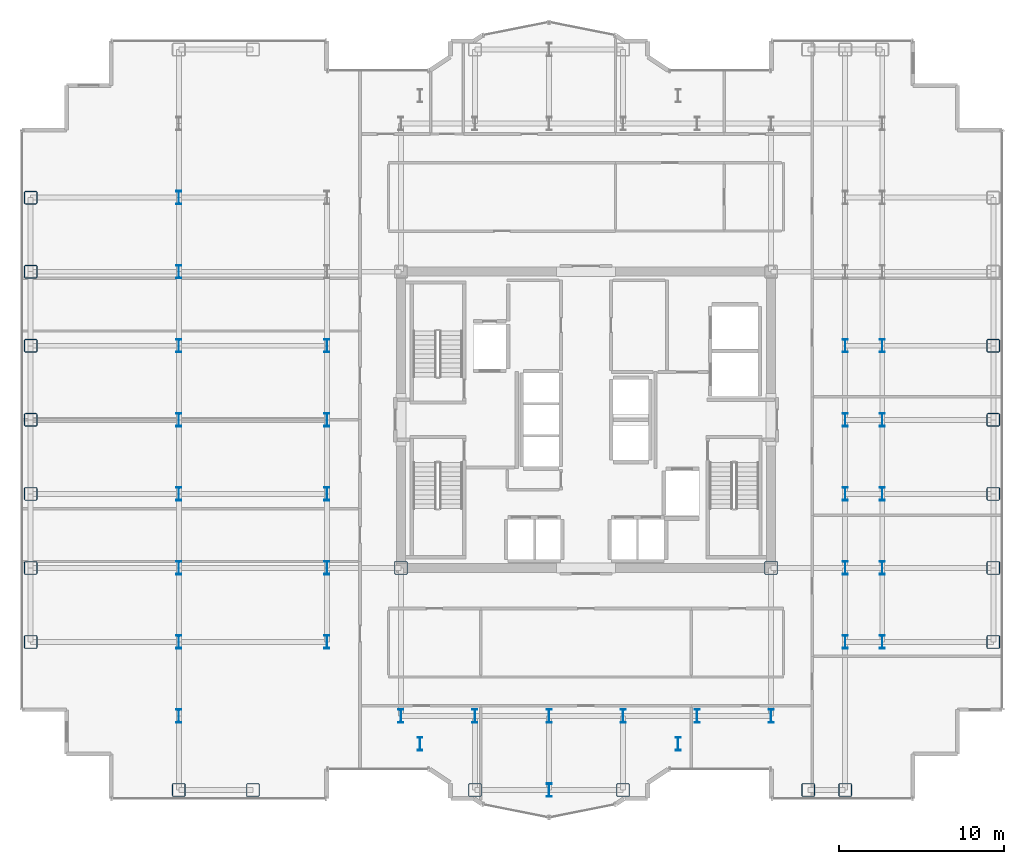
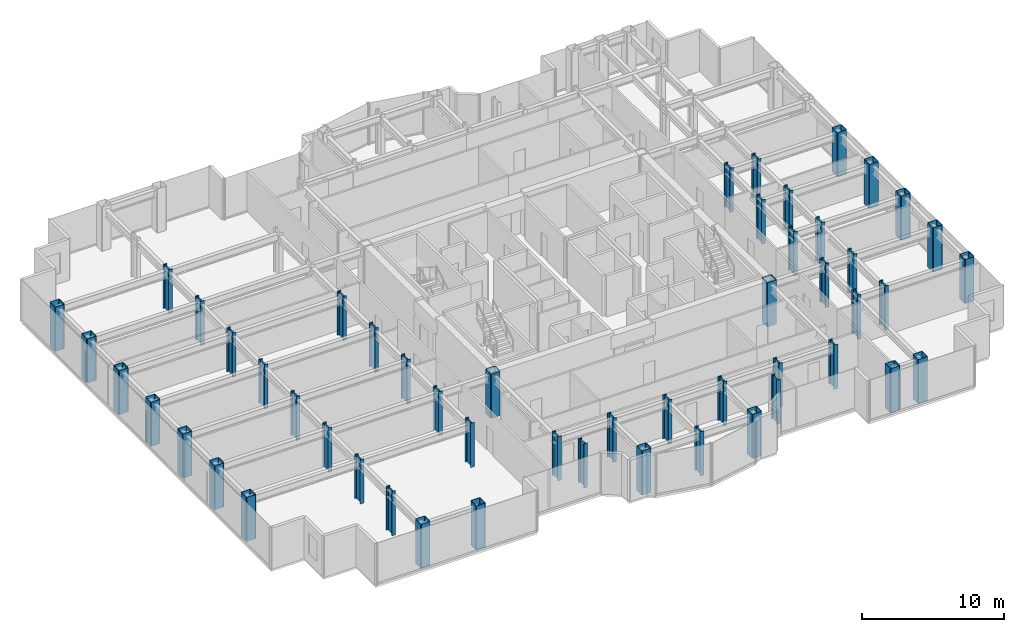
# One storey, part 1 of 23: 52 columns.
"""IFC4 building model written with IfcOpenShell, lengths in metres."""

from ifc_helpers import new_model, si_unit, direction, frame, origin, origin_2d, place, context, subcontext, project, spatial, hollow_rectangle, i_section, extrude, source, transform, mapped, material, material_profile, profile_set, type_object, element, save


model = new_model("IFC4")

# Units and contexts
model_context = context("Model", 3, precision=1e-05, world=origin(), true_north=direction((0.0, 1.0)))
body_context = subcontext(model_context, "Body", "Model", "MODEL_VIEW")
ifc_project = project(units=[si_unit("LENGTHUNIT", "METRE"), si_unit("AREAUNIT", "SQUARE_METRE"), si_unit("VOLUMEUNIT", "CUBIC_METRE"), si_unit("PLANEANGLEUNIT", "RADIAN"), si_unit("MASSUNIT", "GRAM", prefix="KILO")], contexts=[model_context])

# Site, building, storey
site_placement = place(None, origin())
site = spatial("IfcSite", under=ifc_project, at=site_placement, CompositionType="ELEMENT")
building_placement = place(site_placement, origin())
building = spatial("IfcBuilding", under=site, at=building_placement, Name="Nefas-Gora Pilgrimage Tower", CompositionType="ELEMENT")
storey_placement = place(building_placement, frame((0.0, 0.0, 190.60009765625)))
storey = spatial("IfcBuildingStorey", under=building, at=storey_placement, Name="L47", CompositionType="ELEMENT", Elevation=190.60009765625)

# Columns
ifc_material = material(Name="Steel S460", Category="steel")
ifc_material_profile_1 = material_profile(ifc_material, hollow_rectangle(XDim=0.800048828125, YDim=0.800048828125, WallThickness=0.0400390625, InnerFilletRadius=0.0400390625, OuterFilletRadius=0.080078125, at=origin_2d()), Name="BOX 800x800x40")
ifc_profile_set_1 = profile_set([ifc_material_profile_1], Name="Steel S460")
column_type_1 = type_object("IfcColumnType", Name="COL-TUBE-800", PredefinedType="COLUMN", material=ifc_profile_set_1)
shared_shape_1 = source(origin(), body_context, "Body", "SweptSolid", [
    extrude(hollow_rectangle(XDim=0.800048828125, YDim=0.800048828125, WallThickness=0.0400390625, InnerFilletRadius=0.0400390625, OuterFilletRadius=0.080078125, at=origin_2d()), origin(), (0.0, 0.0, 1.0), 3.7998046875),
])
for number, where, z_axis, x_axis, name in (
    (1, (-33.75, -13.5, 0.0), (0.0, 0.0, 1.0), (1.0, 0.0, 0.0), "L47 Tower Column C-Z2.1"),
    (2, (-33.75, -9.0, 0.0), (0.0, 0.0, 1.0), (1.0, 0.0, 0.0), "L47 Tower Column C-Z2.2"),
    (3, (-33.75, -4.5, 0.0), (0.0, 0.0, 1.0), (1.0, 0.0, 0.0), "L47 Tower Column C-Z2.3"),
    (4, (-33.75, 0.0, 0.0), (0.0, 0.0, 1.0), (1.0, 0.0, 0.0), "L47 Tower Column C-Z2.4"),
    (5, (-33.75, 4.5, 0.0), (0.0, 0.0, 1.0), (1.0, 0.0, 0.0), "L47 Tower Column C-Z2.5"),
    (6, (-33.75, 9.0, 0.0), (0.0, 0.0, 1.0), (1.0, 0.0, 0.0), "L47 Tower Column C-Z2.6"),
    (7, (-33.75, 13.5, 0.0), (0.0, 0.0, 1.0), (1.0, 0.0, 0.0), "L47 Tower Column C-Z2.7"),
    (8, (-24.75, -22.5, 0.0), (0.0, 0.0, 1.0), (1.0, 0.0, 0.0), "L47 Tower Column C-Z2.8"),
    (9, (-20.25, -22.5, 0.0), (0.0, 0.0, 1.0), (1.0, 0.0, 0.0), "L47 Tower Column C-Z2.19"),
    (10, (-6.75, -22.5, 0.0), (0.0, 0.0, 1.0), (1.0, 0.0, 0.0), "L47 Tower Column C-Z2.34"),
    (11, (2.25, -22.5, 0.0), (0.0, 0.0, 1.0), (1.0, 0.0, 0.0), "L47 Tower Column C-Z2.42"),
    (12, (13.5, -22.5, 0.0), (0.0, 0.0, 1.0), (1.0, 0.0, 0.0), "L47 Tower Column C-Z2.54"),
    (13, (15.75, -22.5, 0.0), (0.0, 0.0, 1.0), (1.0, 0.0, 0.0), "L47 Tower Column C-Z2.56"),
    (14, (24.75, -13.5, 0.0), (0.0, 0.0, 1.0), (1.0, 0.0, 0.0), "L47 Tower Column C-Z2.74"),
    (15, (24.75, -9.0, 0.0), (0.0, 0.0, 1.0), (1.0, 0.0, 0.0), "L47 Tower Column C-Z2.75"),
    (16, (24.75, -4.5, 0.0), (0.0, 0.0, 1.0), (1.0, 0.0, 0.0), "L47 Tower Column C-Z2.76"),
    (17, (24.75, 0.0, 0.0), (0.0, 0.0, 1.0), (1.0, 0.0, 0.0), "L47 Tower Column C-Z2.77"),
    (18, (24.75, 4.5, 0.0), (0.0, 0.0, 1.0), (1.0, 0.0, 0.0), "L47 Tower Column C-Z2.78"),
):
    element("IfcColumn", number, at=place(storey_placement, frame(where, z_axis=z_axis, x_axis=x_axis)), inside=storey, type_object=column_type_1, Name=name, PredefinedType="COLUMN", context=body_context, shape_type="MappedRepresentation", body=[
        mapped(shared_shape_1, transform((0.0, 0.0, 0.0), x_axis=(1.0, 0.0, 0.0), y_axis=(0.0, 1.0, 0.0), z_axis=(0.0, 0.0, 1.0), scale=1.0)),
    ])
ifc_material_profile_2 = material_profile(ifc_material, i_section(OverallWidth=0.302978515625, OverallDepth=0.81396484375, WebThickness=0.02099609375, FlangeThickness=0.0400390625, FilletRadius=0.030029296875, at=origin_2d()), Name="HEM 800")
ifc_profile_set_2 = profile_set([ifc_material_profile_2], Name="Steel S460")
column_type_2 = type_object("IfcColumnType", Name="COL-WEB-HEM800", PredefinedType="COLUMN", material=ifc_profile_set_2)
shared_shape_2 = source(origin(), body_context, "Body", "SweptSolid", [
    extrude(i_section(OverallWidth=0.302978515625, OverallDepth=0.81396484375, WebThickness=0.02099609375, FlangeThickness=0.0400390625, FilletRadius=0.030029296875, at=origin_2d()), origin(), (0.0, 0.0, 1.0), 3.7998046875),
])
for number, where, z_axis, x_axis, name in (
    (19, (-24.75, -18.0, 0.0), (0.0, 0.0, 1.0), (1.0, 0.0, 0.0), "L47 Tower Column CW-02.9"),
    (20, (-24.75, -13.5, 0.0), (0.0, 0.0, 1.0), (1.0, 0.0, 0.0), "L47 Tower Column CW-02.10"),
    (21, (-24.75, -9.0, 0.0), (0.0, 0.0, 1.0), (1.0, 0.0, 0.0), "L47 Tower Column CW-02.11"),
    (22, (-24.75, -4.5, 0.0), (0.0, 0.0, 1.0), (1.0, 0.0, 0.0), "L47 Tower Column CW-02.12"),
    (23, (-24.75, 0.0, 0.0), (0.0, 0.0, 1.0), (1.0, 0.0, 0.0), "L47 Tower Column CW-02.13"),
    (24, (-24.75, 4.5, 0.0), (0.0, 0.0, 1.0), (1.0, 0.0, 0.0), "L47 Tower Column CW-02.14"),
    (25, (-24.75, 9.0, 0.0), (0.0, 0.0, 1.0), (1.0, 0.0, 0.0), "L47 Tower Column CW-02.15"),
    (26, (-24.75, 13.5, 0.0), (0.0, 0.0, 1.0), (1.0, 0.0, 0.0), "L47 Tower Column CW-02.16"),
    (27, (-15.75, -13.5, 0.0), (0.0, 0.0, 1.0), (1.0, 0.0, 0.0), "L47 Tower Column CW-02.21"),
    (28, (-15.75, -9.0, 0.0), (0.0, 0.0, 1.0), (1.0, 0.0, 0.0), "L47 Tower Column CW-02.22"),
    (29, (-15.75, -4.5, 0.0), (0.0, 0.0, 1.0), (1.0, 0.0, 0.0), "L47 Tower Column CW-02.23"),
    (30, (-15.75, 0.0, 0.0), (0.0, 0.0, 1.0), (1.0, 0.0, 0.0), "L47 Tower Column CW-02.24"),
    (31, (-15.75, 4.5, 0.0), (0.0, 0.0, 1.0), (1.0, 0.0, 0.0), "L47 Tower Column CW-02.25"),
    (32, (-11.25, -18.0, 0.0), (0.0, 0.0, 1.0), (1.0, 0.0, 0.0), "L47 Tower Column CW-02.28"),
    (33, (-10.091064453125, -19.696044921875, 0.0), (0.0, 0.0, 1.0), (1.0, 0.0, 0.0), "L47 Tower Column CW-02.32"),
    (34, (-6.75, -18.0, 0.0), (0.0, 0.0, 1.0), (1.0, 0.0, 0.0), "L47 Tower Column CW-02.35"),
    (35, (-2.25, -22.5, 0.0), (0.0, 0.0, 1.0), (1.0, 0.0, 0.0), "L47 Tower Column CW-02.38"),
    (36, (-2.25, -18.0, 0.0), (0.0, 0.0, 1.0), (1.0, 0.0, 0.0), "L47 Tower Column CW-02.39"),
    (37, (2.25, -18.0, 0.0), (0.0, 0.0, 1.0), (1.0, 0.0, 0.0), "L47 Tower Column CW-02.43"),
    (38, (5.591064453125, -19.696044921875, 0.0), (0.0, 0.0, 1.0), (1.0, 0.0, 0.0), "L47 Tower Column CW-02.46"),
    (39, (6.75, -18.0, 0.0), (0.0, 0.0, 1.0), (1.0, 0.0, 0.0), "L47 Tower Column CW-02.48"),
    (40, (11.25, -18.0, 0.0), (0.0, 0.0, 1.0), (1.0, 0.0, 0.0), "L47 Tower Column CW-02.50"),
    (41, (15.75, -13.5, 0.0), (0.0, 0.0, 1.0), (1.0, 0.0, 0.0), "L47 Tower Column CW-02.57"),
    (42, (15.75, -9.0, 0.0), (0.0, 0.0, 1.0), (1.0, 0.0, 0.0), "L47 Tower Column CW-02.58"),
    (43, (15.75, -4.5, 0.0), (0.0, 0.0, 1.0), (1.0, 0.0, 0.0), "L47 Tower Column CW-02.59"),
    (44, (15.75, 0.0, 0.0), (0.0, 0.0, 1.0), (1.0, 0.0, 0.0), "L47 Tower Column CW-02.60"),
    (45, (15.75, 4.5, 0.0), (0.0, 0.0, 1.0), (1.0, 0.0, 0.0), "L47 Tower Column CW-02.61"),
    (46, (18.0, -13.5, 0.0), (0.0, 0.0, 1.0), (1.0, 0.0, 0.0), "L47 Tower Column CW-02.65"),
    (47, (18.0, -9.0, 0.0), (0.0, 0.0, 1.0), (1.0, 0.0, 0.0), "L47 Tower Column CW-02.66"),
    (48, (18.0, -4.5, 0.0), (0.0, 0.0, 1.0), (1.0, 0.0, 0.0), "L47 Tower Column CW-02.67"),
    (49, (18.0, 0.0, 0.0), (0.0, 0.0, 1.0), (1.0, 0.0, 0.0), "L47 Tower Column CW-02.68"),
    (50, (18.0, 4.5, 0.0), (0.0, 0.0, 1.0), (1.0, 0.0, 0.0), "L47 Tower Column CW-02.69"),
):
    element("IfcColumn", number, at=place(storey_placement, frame(where, z_axis=z_axis, x_axis=x_axis)), inside=storey, type_object=column_type_2, Name=name, PredefinedType="COLUMN", context=body_context, shape_type="MappedRepresentation", body=[
        mapped(shared_shape_2, transform((0.0, 0.0, 0.0), x_axis=(1.0, 0.0, 0.0), y_axis=(0.0, 1.0, 0.0), z_axis=(0.0, 0.0, 1.0), scale=1.0)),
    ])
ifc_material_profile_3 = material_profile(ifc_material, hollow_rectangle(XDim=0.800048828125, YDim=0.800048828125, WallThickness=0.0400390625, InnerFilletRadius=0.0400390625, OuterFilletRadius=0.080078125, at=origin_2d()), Name="BOX 800x800x40")
ifc_profile_set_3 = profile_set([ifc_material_profile_3], Name="Steel S460")
column_type_3 = type_object("IfcColumnType", Name="COL-CORE-800", PredefinedType="COLUMN", material=ifc_profile_set_3)
shared_shape_3 = source(origin(), body_context, "Body", "SweptSolid", [
    extrude(hollow_rectangle(XDim=0.800048828125, YDim=0.800048828125, WallThickness=0.0400390625, InnerFilletRadius=0.0400390625, OuterFilletRadius=0.080078125, at=origin_2d()), origin(), (0.0, 0.0, 1.0), 3.7998046875),
])
for number, where, z_axis, x_axis, name in (
    (51, (-11.25, -9.0, 0.0), (0.0, 0.0, 1.0), (1.0, 0.0, 0.0), "L47 Tower Column CC-Z2.29"),
    (52, (11.25, -9.0, 0.0), (0.0, 0.0, 1.0), (1.0, 0.0, 0.0), "L47 Tower Column CC-Z2.51"),
):
    element("IfcColumn", number, at=place(storey_placement, frame(where, z_axis=z_axis, x_axis=x_axis)), inside=storey, type_object=column_type_3, Name=name, PredefinedType="COLUMN", context=body_context, shape_type="MappedRepresentation", body=[
        mapped(shared_shape_3, transform((0.0, 0.0, 0.0), x_axis=(1.0, 0.0, 0.0), y_axis=(0.0, 1.0, 0.0), z_axis=(0.0, 0.0, 1.0), scale=1.0)),
    ])

save(model, "model.ifc")
